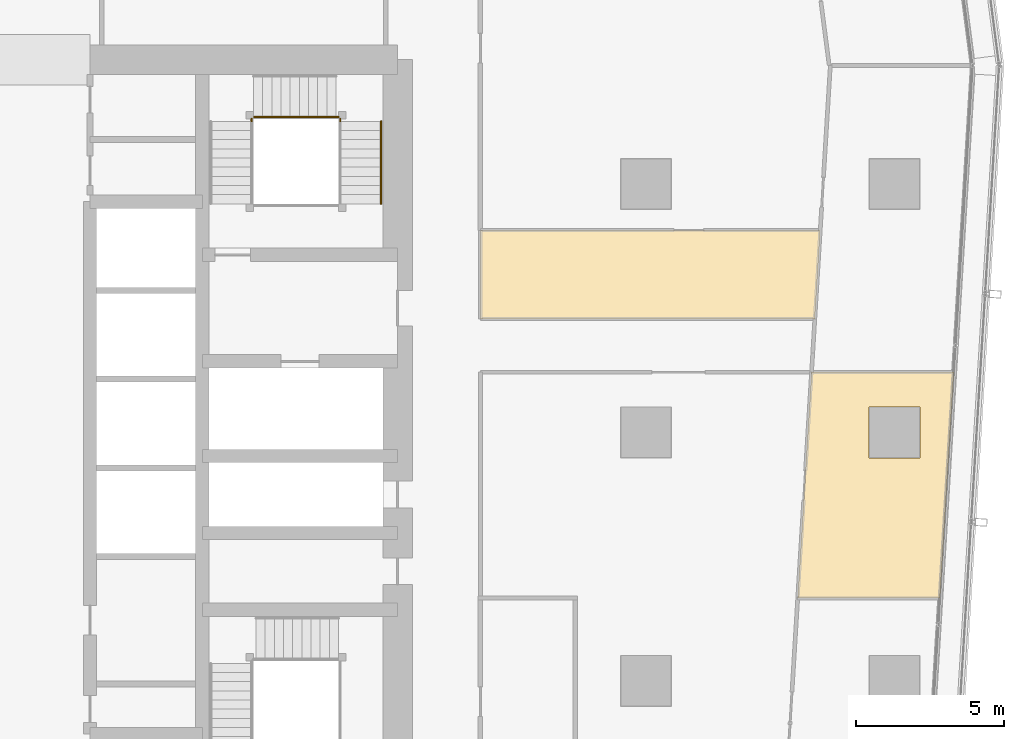
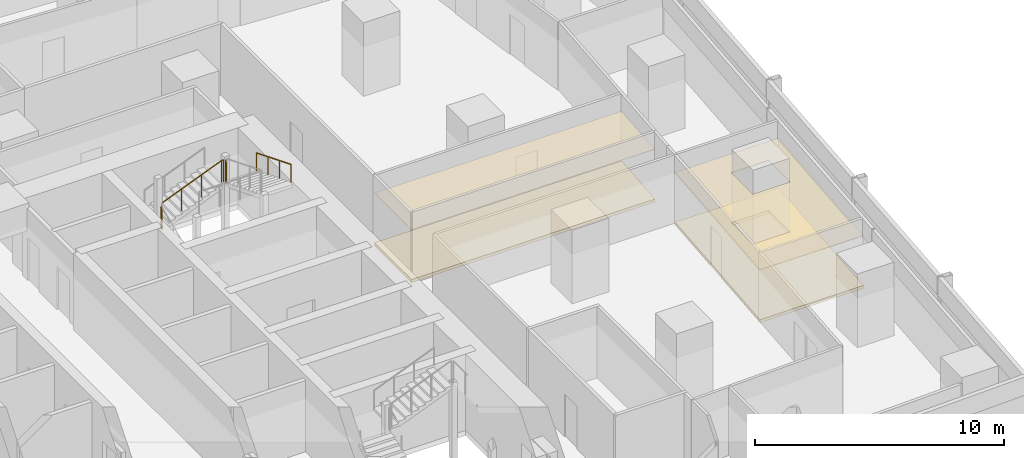
# One storey, part 39 of 40: 5 railings, 4 coverings.
"""IFC4 building model written with IfcOpenShell, lengths in metres."""

from ifc_helpers import new_model, si_unit, direction, frame, origin, origin_2d, place, context, subcontext, project, spatial, polyline, circle, outline, extrude, material, layer, layer_set, type_object, element, save


model = new_model("IFC4")

# Units and contexts
model_context = context("Model", 3, precision=1e-05, world=origin(), true_north=direction((0.0, 1.0)))
body_context = subcontext(model_context, "Body", "Model", "MODEL_VIEW")
ifc_project = project(units=[si_unit("LENGTHUNIT", "METRE"), si_unit("AREAUNIT", "SQUARE_METRE"), si_unit("VOLUMEUNIT", "CUBIC_METRE"), si_unit("PLANEANGLEUNIT", "RADIAN"), si_unit("MASSUNIT", "GRAM", prefix="KILO")], contexts=[model_context])

# Site, building, storey
site_placement = place(None, origin())
site = spatial("IfcSite", under=ifc_project, at=site_placement, CompositionType="ELEMENT")
building_placement = place(site_placement, origin())
building = spatial("IfcBuilding", under=site, at=building_placement, Name="Rekha Terrace Tower", CompositionType="ELEMENT")
storey_placement = place(building_placement, frame((0.0, 0.0, 117.800048828125)))
storey = spatial("IfcBuildingStorey", under=building, at=storey_placement, Name="L29", CompositionType="ELEMENT", Elevation=117.800048828125)

# Coverings
ifc_material_1 = material(Name="Mineral fibre tile in exposed grid", Category="finish")
ifc_layer_1 = layer(ifc_material_1, 0.02001953125)
ifc_layer_set_1 = layer_set([ifc_layer_1], Name="Mineral fibre tile in exposed grid")
covering_type_1 = type_object("IfcCoveringType", Name="CL1 600x1200 office grid ceiling", PredefinedType="CEILING", material=ifc_layer_set_1)
covering_1_placement = place(storey_placement, frame((0.0, 0.0, 2.579833984375)))
element("IfcCovering", 1, at=covering_1_placement, inside=storey, type_object=covering_type_1, Name="Ceiling L29-05", PredefinedType="CEILING", context=body_context, shape_type="SweptSolid", body=[
    extrude(outline(polyline([(63.926025390625, 27.9970703125), (68.735107421875, 27.9970703125), (69.202880859375, 35.633056640625), (64.39404296875, 35.633056640625), (63.926025390625, 27.9970703125)]), holes=[polyline([(68.06494140625, 34.465087890625), (68.06494140625, 32.735107421875), (66.3349609375, 32.735107421875), (66.3349609375, 34.465087890625), (68.06494140625, 34.465087890625)])]), origin(), (0.0, 0.0, 1.0), 0.02001953125),
])
covering_2_placement = place(storey_placement, frame((0.0, 0.0, 2.579833984375)))
element("IfcCovering", 2, at=covering_2_placement, inside=storey, type_object=covering_type_1, Name="Ceiling L29-12", PredefinedType="CEILING", context=body_context, shape_type="SweptSolid", body=[
    extrude(outline(polyline([(64.68798828125, 40.43310546875), (53.199951171875, 40.43310546875), (53.199951171875, 37.43701171875), (64.50390625, 37.43701171875), (64.68798828125, 40.43310546875)])), origin(), (0.0, 0.0, 1.0), 0.02001953125),
])

# Railings
ifc_material_2 = material(Name="Stainless steel balustrade", Category="steel")
railing_type_1 = type_object("IfcRailingType", Name="GR1 1100 stair guard", PredefinedType="GUARDRAIL", material=ifc_material_2)
railing_1_placement = place(storey_placement, frame((45.52490234375, 44.260009765625, 1.375)))
element("IfcRailing", 3, at=railing_1_placement, inside=storey, type_object=railing_type_1, Name="Guard ST2 L29 flight 2", PredefinedType="GUARDRAIL", context=body_context, shape_type="SweptSolid", body=[
    extrude(circle(Radius=0.02392578125, at=origin_2d()), frame((0.0, 0.0, 1.076171875), z_axis=(0.927443287984, 0.0, 0.373963831907), x_axis=(0.0, 1.0, 0.0)), (0.0, 0.0, 1.0), 3.00830078125),
    extrude(circle(Radius=0.02099609375, at=origin_2d()), origin(), (0.0, 0.0, 1.0), 1.052001953125),
    extrude(circle(Radius=0.02099609375, at=origin_2d()), frame((0.929931640625, 0.0, 0.375)), (0.0, 0.0, 1.0), 1.052001953125),
    extrude(circle(Radius=0.02099609375, at=origin_2d()), frame((1.860107421875, 0.0, 0.75)), (0.0, 0.0, 1.0), 1.052001953125),
    extrude(circle(Radius=0.02099609375, at=origin_2d()), frame((2.7900390625, 0.0, 1.125)), (0.0, 0.0, 1.0), 1.052001953125),
])
railing_2_placement = place(storey_placement, frame((45.465087890625, 44.114990234375, 1.25)))
element("IfcRailing", 4, at=railing_2_placement, inside=storey, type_object=railing_type_1, Name="Guard ST2 L29 landing 1", PredefinedType="GUARDRAIL", context=body_context, shape_type="SweptSolid", body=[
    extrude(circle(Radius=0.02392578125, at=origin_2d()), frame((0.0, 0.0, 1.076171875), z_axis=(0.0, 1.0, 0.0), x_axis=(-1.0, 0.0, 0.0)), (0.0, 0.0, 1.0), 0.0849609375),
    extrude(circle(Radius=0.02099609375, at=origin_2d()), origin(), (0.0, 0.0, 1.0), 1.052001953125),
    extrude(circle(Radius=0.02099609375, at=origin_2d()), frame((0.0, 0.0849609375, 0.0)), (0.0, 0.0, 1.0), 1.052001953125),
])
railing_3_placement = place(storey_placement, frame((48.31494140625, 44.260009765625, 2.5)))
element("IfcRailing", 5, at=railing_3_placement, inside=storey, type_object=railing_type_1, Name="Guard ST2 L29 landing 2", PredefinedType="GUARDRAIL", context=body_context, shape_type="SweptSolid", body=[
    extrude(circle(Radius=0.02392578125, at=origin_2d()), frame((0.0, 0.0, 1.076171875), z_axis=(1.0, 0.0, 0.0), x_axis=(0.0, 1.0, 0.0)), (0.0, 0.0, 1.0), 0.0849609375),
    extrude(circle(Radius=0.02099609375, at=origin_2d()), origin(), (0.0, 0.0, 1.0), 1.052001953125),
    extrude(circle(Radius=0.02099609375, at=origin_2d()), frame((0.0849609375, 0.0, 0.0)), (0.0, 0.0, 1.0), 1.052001953125),
])
railing_4_placement = place(storey_placement, frame((48.4599609375, 44.114990234375, 2.5)))
element("IfcRailing", 6, at=railing_4_placement, inside=storey, type_object=railing_type_1, Name="Guard ST2 L29 landing 3", PredefinedType="GUARDRAIL", context=body_context, shape_type="SweptSolid", body=[
    extrude(circle(Radius=0.02392578125, at=origin_2d()), frame((0.0, 0.0, 1.076171875), z_axis=(0.0, 1.0, 0.0), x_axis=(-1.0, 0.0, 0.0)), (0.0, 0.0, 1.0), 0.0849609375),
    extrude(circle(Radius=0.02099609375, at=origin_2d()), origin(), (0.0, 0.0, 1.0), 1.052001953125),
    extrude(circle(Radius=0.02099609375, at=origin_2d()), frame((0.0, 0.0849609375, 0.0)), (0.0, 0.0, 1.0), 1.052001953125),
])
ifc_material_3 = material(Name="Stainless steel tube", Category="steel")
railing_type_2 = type_object("IfcRailingType", Name="HR1 900 stair handrail", PredefinedType="HANDRAIL", material=ifc_material_3)
railing_5_placement = place(storey_placement, frame((49.840087890625, 44.114990234375, 2.625)))
element("IfcRailing", 7, at=railing_5_placement, inside=storey, type_object=railing_type_2, Name="Handrail ST2 L29 flight 3", PredefinedType="HANDRAIL", context=body_context, shape_type="SweptSolid", body=[
    extrude(circle(Radius=0.02392578125, at=origin_2d()), frame((0.0, 0.0, 0.8759765625), z_axis=(0.0, -0.927443287984, 0.373963831907), x_axis=(1.0, 0.0, 0.0)), (0.0, 0.0, 1.0), 3.00830078125),
    extrude(circle(Radius=0.02099609375, at=origin_2d()), origin(), (0.0, 0.0, 1.0), 0.851806640625),
    extrude(circle(Radius=0.02099609375, at=origin_2d()), frame((0.0, -0.929931640625, 0.375)), (0.0, 0.0, 1.0), 0.851806640625),
    extrude(circle(Radius=0.02099609375, at=origin_2d()), frame((0.0, -1.860107421875, 0.75)), (0.0, 0.0, 1.0), 0.851806640625),
    extrude(circle(Radius=0.02099609375, at=origin_2d()), frame((0.0, -2.7900390625, 1.125)), (0.0, 0.0, 1.0), 0.851806640625),
])

# Coverings
ifc_material_4 = material(Name="Calcium sulphate panels on steel pedestals", Category="steel")
ifc_layer_2 = layer(ifc_material_4, 0.14990234375)
ifc_layer_set_2 = layer_set([ifc_layer_2], Name="Calcium sulphate panels on steel pedestals")
covering_type_2 = type_object("IfcCoveringType", Name="RF1 150 raised access floor", PredefinedType="FLOORING", material=ifc_layer_set_2)
covering_3_placement = place(storey_placement, origin())
element("IfcCovering", 8, at=covering_3_placement, inside=storey, type_object=covering_type_2, Name="Raised floor L29-05", PredefinedType="FLOORING", context=body_context, shape_type="SweptSolid", body=[
    extrude(outline(polyline([(63.926025390625, 27.9970703125), (68.735107421875, 27.9970703125), (69.202880859375, 35.633056640625), (64.39404296875, 35.633056640625), (63.926025390625, 27.9970703125)]), holes=[polyline([(68.06494140625, 34.465087890625), (68.06494140625, 32.735107421875), (66.3349609375, 32.735107421875), (66.3349609375, 34.465087890625), (68.06494140625, 34.465087890625)])]), origin(), (0.0, 0.0, 1.0), 0.14990234375),
])
covering_4_placement = place(storey_placement, origin())
element("IfcCovering", 9, at=covering_4_placement, inside=storey, type_object=covering_type_2, Name="Raised floor L29-12", PredefinedType="FLOORING", context=body_context, shape_type="SweptSolid", body=[
    extrude(outline(polyline([(64.68798828125, 40.43310546875), (53.199951171875, 40.43310546875), (53.199951171875, 37.43701171875), (64.50390625, 37.43701171875), (64.68798828125, 40.43310546875)])), origin(), (0.0, 0.0, 1.0), 0.14990234375),
])

save(model, "model.ifc")
